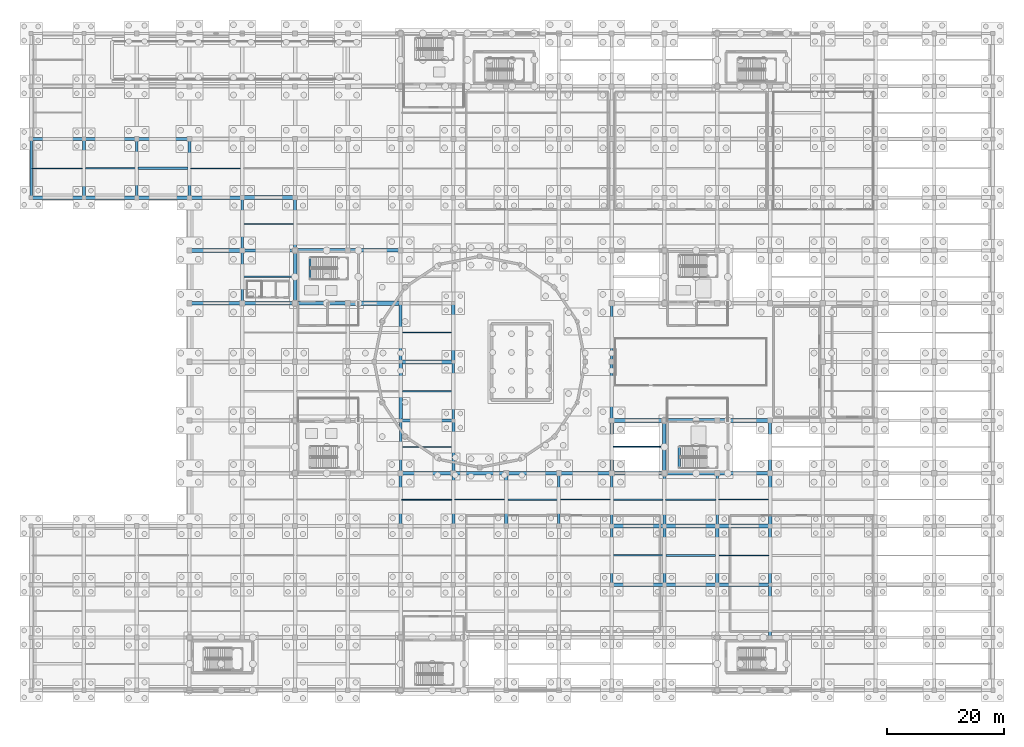
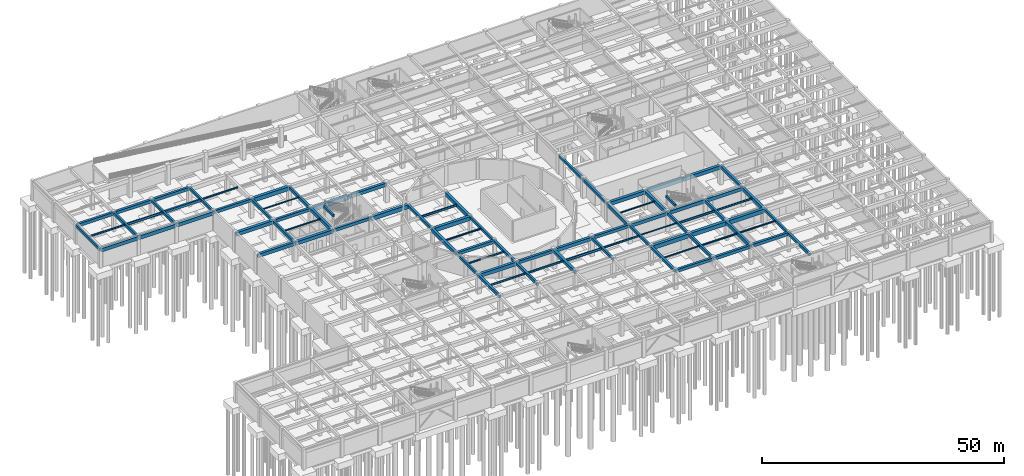
# One storey, part 30 of 62: 88 beams.
"""IFC4 building model written with IfcOpenShell, lengths in metres."""

from ifc_helpers import new_model, si_unit, direction, frame, origin, origin_2d, place, context, subcontext, project, spatial, rectangle, i_section, extrude, material, material_profile, profile_set, type_object, element, save


model = new_model("IFC4")

# Units and contexts
model_context = context("Model", 3, precision=1e-05, world=origin(), true_north=direction((0.0, 1.0)))
body_context = subcontext(model_context, "Body", "Model", "MODEL_VIEW")
ifc_project = project(units=[si_unit("LENGTHUNIT", "METRE"), si_unit("AREAUNIT", "SQUARE_METRE"), si_unit("VOLUMEUNIT", "CUBIC_METRE"), si_unit("PLANEANGLEUNIT", "RADIAN"), si_unit("MASSUNIT", "GRAM", prefix="KILO")], contexts=[model_context])

# Site, building, storey
site_placement = place(None, origin())
site = spatial("IfcSite", under=ifc_project, at=site_placement, CompositionType="ELEMENT")
building_placement = place(site_placement, origin())
building = spatial("IfcBuilding", under=site, at=building_placement, Name="Miravela Opera House", CompositionType="ELEMENT")
storey_placement = place(building_placement, frame((0.0, 0.0, -5.10009765625)))
storey = spatial("IfcBuildingStorey", under=building, at=storey_placement, Name="B01", CompositionType="ELEMENT", Elevation=-5.10009765625)

# Beams
ifc_material_1 = material(Name="Concrete C35/45", Category="concrete")
ifc_material_profile_1 = material_profile(ifc_material_1, rectangle(XDim=0.39990234375, YDim=0.60009765625, at=origin_2d()), Name="RC-BM-400X600")
ifc_profile_set_1 = profile_set([ifc_material_profile_1])
beam_type_1 = type_object("IfcBeamType", Name="STR-BM-RC400X600", PredefinedType="JOIST", material=ifc_profile_set_1)
beam_1_placement = place(storey_placement, frame((18.2099609375, 89.0, 4.52001953125), z_axis=(1.0, 0.0, 0.0), x_axis=(0.0, 1.0, 0.0)))
element("IfcBeam", 1, at=beam_1_placement, inside=storey, type_object=beam_type_1, Name="Secondary Floor Joist B01 3-4/J-K", PredefinedType="JOIST", context=body_context, shape_type="SweptSolid", body=[
    extrude(rectangle(XDim=0.39990234375, YDim=0.60009765625, at=origin_2d()), origin(), (0.0, 0.0, 1.0), 8.580078125),
])
for number, where, z_axis, x_axis, name in (
    (2, (47.5400390625, 70.0, 4.800048828125), (0.0, 1.0, 0.0), (-1.0, 0.0, 0.0), "Stair K1 Opening Header Trimmer Beam 00"),
    (3, (110.5400390625, 37.800048828125, 4.800048828125), (0.0, 1.0, 0.0), (-1.0, 0.0, 0.0), "Stair K4 Opening Header Trimmer Beam 00"),
):
    element("IfcBeam", number, at=place(storey_placement, frame(where, z_axis=z_axis, x_axis=x_axis)), inside=storey, type_object=beam_type_1, Name=name, PredefinedType="JOIST", context=body_context, shape_type="SweptSolid", body=[
        extrude(rectangle(XDim=0.39990234375, YDim=0.60009765625, at=origin_2d()), origin(), (0.0, 0.0, 1.0), 3.8798828125),
    ])
ifc_material_profile_2 = material_profile(ifc_material_1, rectangle(XDim=0.449951171875, YDim=0.64990234375, at=origin_2d()), Name="RC-BM-450X650")
ifc_profile_set_2 = profile_set([ifc_material_profile_2])
beam_type_2 = type_object("IfcBeamType", Name="STR-BM-RC450X650", PredefinedType="BEAM", material=ifc_profile_set_2)
for number, where, z_axis, x_axis, name in (
    (4, (18.0, 84.080078125, 4.4951171875), (0.0, 1.0, 0.0), (-1.0, 0.0, 0.0), "Floor Girder B01 3/J-K"),
    (5, (27.0, 84.080078125, 4.4951171875), (0.0, 1.0, 0.0), (-1.0, 0.0, 0.0), "Floor Girder B01 4/J-K"),
):
    element("IfcBeam", number, at=place(storey_placement, frame(where, z_axis=z_axis, x_axis=x_axis)), inside=storey, type_object=beam_type_2, Name=name, PredefinedType="BEAM", context=body_context, shape_type="SweptSolid", body=[
        extrude(rectangle(XDim=0.449951171875, YDim=0.64990234375, at=origin_2d()), origin(), (0.0, 0.0, 1.0), 9.83984375),
    ])
for number, where, z_axis, x_axis, name in (
    (6, (36.0, 75.080078125, 4.4951171875), (0.0, 1.0, 0.0), (-1.0, 0.0, 0.0), "Floor Girder B01 5/I-J"),
    (7, (63.0, 37.080078125, 4.4951171875), (0.0, 1.0, 0.0), (-1.0, 0.0, 0.0), "Floor Girder B01 8/E-F"),
):
    element("IfcBeam", number, at=place(storey_placement, frame(where, z_axis=z_axis, x_axis=x_axis)), inside=storey, type_object=beam_type_2, Name=name, PredefinedType="BEAM", context=body_context, shape_type="SweptSolid", body=[
        extrude(rectangle(XDim=0.449951171875, YDim=0.64990234375, at=origin_2d()), origin(), (0.0, 0.0, 1.0), 8.83984375),
    ])
beam_2_placement = place(storey_placement, frame((72.0, 46.080078125, 4.455078125), z_axis=(0.0, 1.0, 0.0), x_axis=(-1.0, 0.0, 0.0)))
element("IfcBeam", 8, at=beam_2_placement, inside=storey, type_object=beam_type_2, Name="Floor Girder B01 9/F-G", PredefinedType="BEAM", context=body_context, shape_type="SweptSolid", body=[
    extrude(rectangle(XDim=0.449951171875, YDim=0.64990234375, at=origin_2d()), origin(), (0.0, 0.0, 1.0), 9.83984375),
])
for number, where, z_axis, x_axis, name in (
    (9, (90.0, 28.080078125, 4.455078125), (0.0, 1.0, 0.0), (-1.0, 0.0, 0.0), "Floor Girder B01 11/D-E"),
    (10, (99.0, 28.080078125, 4.455078125), (0.0, 1.0, 0.0), (-1.0, 0.0, 0.0), "Floor Girder B01 12/D-E"),
    (11, (108.0, 28.080078125, 4.455078125), (0.0, 1.0, 0.0), (-1.0, 0.0, 0.0), "Floor Girder B01 13/D-E"),
):
    element("IfcBeam", number, at=place(storey_placement, frame(where, z_axis=z_axis, x_axis=x_axis)), inside=storey, type_object=beam_type_2, Name=name, PredefinedType="BEAM", context=body_context, shape_type="SweptSolid", body=[
        extrude(rectangle(XDim=0.449951171875, YDim=0.64990234375, at=origin_2d()), origin(), (0.0, 0.0, 1.0), 8.83984375),
    ])
beam_3_placement = place(storey_placement, frame((126.0, 18.080078125, 4.505126953125), z_axis=(0.0, 1.0, 0.0), x_axis=(-1.0, 0.0, 0.0)))
element("IfcBeam", 12, at=beam_3_placement, inside=storey, type_object=beam_type_2, Name="Floor Girder B01 15/C-D", PredefinedType="BEAM", context=body_context, shape_type="SweptSolid", body=[
    extrude(rectangle(XDim=0.449951171875, YDim=0.64990234375, at=origin_2d()), origin(), (0.0, 0.0, 1.0), 9.83984375),
])
ifc_material_profile_3 = material_profile(ifc_material_1, rectangle(XDim=0.47998046875, YDim=0.679931640625, at=origin_2d()), Name="RC-BM-480X680")
ifc_profile_set_3 = profile_set([ifc_material_profile_3])
beam_type_3 = type_object("IfcBeamType", Name="STR-BM-RC480X680", PredefinedType="BEAM", material=ifc_profile_set_3)
for number, where, z_axis, x_axis, name in (
    (13, (36.0, 66.080078125, 4.47998046875), (0.0, 1.0, 0.0), (-1.0, 0.0, 0.0), "Floor Girder B01 5/H-I"),
    (14, (63.0, 28.080078125, 4.47998046875), (0.0, 1.0, 0.0), (-1.0, 0.0, 0.0), "Floor Girder B01 8/D-E"),
    (15, (72.0, 37.080078125, 4.440185546875), (0.0, 1.0, 0.0), (-1.0, 0.0, 0.0), "Floor Girder B01 9/E-F"),
):
    element("IfcBeam", number, at=place(storey_placement, frame(where, z_axis=z_axis, x_axis=x_axis)), inside=storey, type_object=beam_type_3, Name=name, PredefinedType="BEAM", context=body_context, shape_type="SweptSolid", body=[
        extrude(rectangle(XDim=0.47998046875, YDim=0.679931640625, at=origin_2d()), origin(), (0.0, 0.0, 1.0), 8.83984375),
    ])
for number, where, z_axis, x_axis, name in (
    (16, (99.0, 18.080078125, 4.440185546875), (0.0, 1.0, 0.0), (-1.0, 0.0, 0.0), "Floor Girder B01 12/C-D"),
    (17, (99.0, 56.080078125, 4.440185546875), (0.0, 1.0, 0.0), (-1.0, 0.0, 0.0), "Floor Girder B01 12/G-H"),
    (18, (108.0, 18.080078125, 4.440185546875), (0.0, 1.0, 0.0), (-1.0, 0.0, 0.0), "Floor Girder B01 13/C-D"),
):
    element("IfcBeam", number, at=place(storey_placement, frame(where, z_axis=z_axis, x_axis=x_axis)), inside=storey, type_object=beam_type_3, Name=name, PredefinedType="BEAM", context=body_context, shape_type="SweptSolid", body=[
        extrude(rectangle(XDim=0.47998046875, YDim=0.679931640625, at=origin_2d()), origin(), (0.0, 0.0, 1.0), 9.83984375),
    ])
beam_4_placement = place(storey_placement, frame((126.0, 9.080078125, 4.489990234375), z_axis=(0.0, 1.0, 0.0), x_axis=(-1.0, 0.0, 0.0)))
element("IfcBeam", 19, at=beam_4_placement, inside=storey, type_object=beam_type_3, Name="Floor Girder B01 15/B-C", PredefinedType="BEAM", context=body_context, shape_type="SweptSolid", body=[
    extrude(rectangle(XDim=0.47998046875, YDim=0.679931640625, at=origin_2d()), origin(), (0.0, 0.0, 1.0), 8.83984375),
])
ifc_material_profile_4 = material_profile(ifc_material_1, rectangle(XDim=0.5, YDim=0.699951171875, at=origin_2d()), Name="RC-BM-500X700")
ifc_profile_set_4 = profile_set([ifc_material_profile_4])
beam_type_4 = type_object("IfcBeamType", Name="STR-BM-RC500X700", PredefinedType="BEAM", material=ifc_profile_set_4)
beam_5_placement = place(storey_placement, frame((9.0, 84.080078125, 4.47021484375), z_axis=(0.0, 1.0, 0.0), x_axis=(-1.0, 0.0, 0.0)))
element("IfcBeam", 20, at=beam_5_placement, inside=storey, type_object=beam_type_4, Name="Floor Girder B01 2/J-K", PredefinedType="BEAM", context=body_context, shape_type="SweptSolid", body=[
    extrude(rectangle(XDim=0.5, YDim=0.699951171875, at=origin_2d()), origin(), (0.0, 0.0, 1.0), 9.83984375),
])
beam_6_placement = place(storey_placement, frame((45.0, 75.080078125, 4.47021484375), z_axis=(0.0, 1.0, 0.0), x_axis=(-1.0, 0.0, 0.0)))
element("IfcBeam", 21, at=beam_6_placement, inside=storey, type_object=beam_type_4, Name="Floor Girder B01 6/I-J", PredefinedType="BEAM", context=body_context, shape_type="SweptSolid", body=[
    extrude(rectangle(XDim=0.5, YDim=0.699951171875, at=origin_2d()), origin(), (0.0, 0.0, 1.0), 8.83984375),
])
beam_7_placement = place(storey_placement, frame((63.0, 56.080078125, 4.47021484375), z_axis=(0.0, 1.0, 0.0), x_axis=(-1.0, 0.0, 0.0)))
element("IfcBeam", 22, at=beam_7_placement, inside=storey, type_object=beam_type_4, Name="Floor Girder B01 8/G-H", PredefinedType="BEAM", context=body_context, shape_type="SweptSolid", body=[
    extrude(rectangle(XDim=0.5, YDim=0.699951171875, at=origin_2d()), origin(), (0.0, 0.0, 1.0), 9.83984375),
])
beam_8_placement = place(storey_placement, frame((72.0, 28.080078125, 4.43017578125), z_axis=(0.0, 1.0, 0.0), x_axis=(-1.0, 0.0, 0.0)))
element("IfcBeam", 23, at=beam_8_placement, inside=storey, type_object=beam_type_4, Name="Floor Girder B01 9/D-E", PredefinedType="BEAM", context=body_context, shape_type="SweptSolid", body=[
    extrude(rectangle(XDim=0.5, YDim=0.699951171875, at=origin_2d()), origin(), (0.0, 0.0, 1.0), 8.83984375),
])
beam_9_placement = place(storey_placement, frame((99.0, 46.080078125, 4.43017578125), z_axis=(0.0, 1.0, 0.0), x_axis=(-1.0, 0.0, 0.0)))
element("IfcBeam", 24, at=beam_9_placement, inside=storey, type_object=beam_type_4, Name="Floor Girder B01 12/F-G", PredefinedType="BEAM", context=body_context, shape_type="SweptSolid", body=[
    extrude(rectangle(XDim=0.5, YDim=0.699951171875, at=origin_2d()), origin(), (0.0, 0.0, 1.0), 9.83984375),
])
for number, where, z_axis, x_axis, name in (
    (25, (117.0, 28.080078125, 4.43017578125), (0.0, 1.0, 0.0), (-1.0, 0.0, 0.0), "Floor Girder B01 14/D-E"),
    (26, (126.0, 37.080078125, 4.43017578125), (0.0, 1.0, 0.0), (-1.0, 0.0, 0.0), "Floor Girder B01 15/E-F"),
):
    element("IfcBeam", number, at=place(storey_placement, frame(where, z_axis=z_axis, x_axis=x_axis)), inside=storey, type_object=beam_type_4, Name=name, PredefinedType="BEAM", context=body_context, shape_type="SweptSolid", body=[
        extrude(rectangle(XDim=0.5, YDim=0.699951171875, at=origin_2d()), origin(), (0.0, 0.0, 1.0), 8.83984375),
    ])
ifc_material_profile_5 = material_profile(ifc_material_1, rectangle(XDim=0.550048828125, YDim=0.75, at=origin_2d()), Name="RC-BM-550X750")
ifc_profile_set_5 = profile_set([ifc_material_profile_5])
beam_type_5 = type_object("IfcBeamType", Name="STR-BM-RC550X750", PredefinedType="BEAM", material=ifc_profile_set_5)
for number, where, z_axis, x_axis, name in (
    (27, (0.080078125, 94.0, 4.445068359375), (1.0, 0.0, 0.0), (0.0, 1.0, 0.0), "Floor Girder B01 1-2/K"),
    (28, (9.080078125, 94.0, 4.445068359375), (1.0, 0.0, 0.0), (0.0, 1.0, 0.0), "Floor Girder B01 2-3/K"),
    (29, (18.080078125, 94.0, 4.445068359375), (1.0, 0.0, 0.0), (0.0, 1.0, 0.0), "Floor Girder B01 3-4/K"),
    (30, (27.080078125, 84.0, 4.445068359375), (1.0, 0.0, 0.0), (0.0, 1.0, 0.0), "Floor Girder B01 4-5/J"),
    (31, (36.080078125, 75.0, 4.445068359375), (1.0, 0.0, 0.0), (0.0, 1.0, 0.0), "Floor Girder B01 5-6/I"),
    (32, (45.080078125, 66.0, 4.445068359375), (1.0, 0.0, 0.0), (0.0, 1.0, 0.0), "Floor Girder B01 6-7/H"),
    (33, (63.080078125, 46.0, 4.405029296875), (1.0, 0.0, 0.0), (0.0, 1.0, 0.0), "Floor Girder B01 8-9/F"),
    (34, (72.080078125, 37.0, 4.405029296875), (1.0, 0.0, 0.0), (0.0, 1.0, 0.0), "Floor Girder B01 9-10/E"),
    (35, (90.080078125, 37.0, 4.405029296875), (1.0, 0.0, 0.0), (0.0, 1.0, 0.0), "Floor Girder B01 11-12/E"),
    (36, (99.080078125, 18.0, 4.405029296875), (1.0, 0.0, 0.0), (0.0, 1.0, 0.0), "Floor Girder B01 12-13/C"),
    (37, (108.080078125, 18.0, 4.405029296875), (1.0, 0.0, 0.0), (0.0, 1.0, 0.0), "Floor Girder B01 13-14/C"),
    (38, (117.080078125, 18.0, 4.455078125), (1.0, 0.0, 0.0), (0.0, 1.0, 0.0), "Floor Girder B01 14-15/C"),
):
    element("IfcBeam", number, at=place(storey_placement, frame(where, z_axis=z_axis, x_axis=x_axis)), inside=storey, type_object=beam_type_5, Name=name, PredefinedType="BEAM", context=body_context, shape_type="SweptSolid", body=[
        extrude(rectangle(XDim=0.550048828125, YDim=0.75, at=origin_2d()), origin(), (0.0, 0.0, 1.0), 8.83984375),
    ])
ifc_material_2 = material(Name="Concrete C40/50", Category="concrete")
ifc_material_profile_6 = material_profile(ifc_material_2, rectangle(XDim=0.60009765625, YDim=0.85009765625, at=origin_2d()), Name="RC-BM-600X850")
ifc_profile_set_6 = profile_set([ifc_material_profile_6])
beam_type_6 = type_object("IfcBeamType", Name="STR-BM-RC600X850", PredefinedType="BEAM", material=ifc_profile_set_6)
for number, where, z_axis, x_axis, name in (
    (39, (27.080078125, 66.0, 4.39501953125), (1.0, 0.0, 0.0), (0.0, 1.0, 0.0), "Floor Girder B01 4-5/H"),
    (40, (54.080078125, 75.0, 4.39501953125), (1.0, 0.0, 0.0), (0.0, 1.0, 0.0), "Floor Girder B01 7-8/I"),
    (41, (81.080078125, 37.0, 4.35498046875), (1.0, 0.0, 0.0), (0.0, 1.0, 0.0), "Floor Girder B01 10-11/E"),
    (42, (99.080078125, 37.0, 4.35498046875), (1.0, 0.0, 0.0), (0.0, 1.0, 0.0), "Floor Girder B01 12-13/E"),
    (43, (108.080078125, 37.0, 4.35498046875), (1.0, 0.0, 0.0), (0.0, 1.0, 0.0), "Floor Girder B01 13-14/E"),
    (44, (117.080078125, 37.0, 4.35498046875), (1.0, 0.0, 0.0), (0.0, 1.0, 0.0), "Floor Girder B01 14-15/E"),
    (45, (45.0, 66.080078125, 4.39501953125), (0.0, 1.0, 0.0), (-1.0, 0.0, 0.0), "Floor Girder B01 6/H-I"),
):
    element("IfcBeam", number, at=place(storey_placement, frame(where, z_axis=z_axis, x_axis=x_axis)), inside=storey, type_object=beam_type_6, Name=name, PredefinedType="BEAM", context=body_context, shape_type="SweptSolid", body=[
        extrude(rectangle(XDim=0.60009765625, YDim=0.85009765625, at=origin_2d()), origin(), (0.0, 0.0, 1.0), 8.83984375),
    ])
for number, where, z_axis, x_axis, name in (
    (46, (63.0, 46.080078125, 4.39501953125), (0.0, 1.0, 0.0), (-1.0, 0.0, 0.0), "Floor Girder B01 8/F-G"),
    (47, (72.0, 56.080078125, 4.35498046875), (0.0, 1.0, 0.0), (-1.0, 0.0, 0.0), "Floor Girder B01 9/G-H"),
):
    element("IfcBeam", number, at=place(storey_placement, frame(where, z_axis=z_axis, x_axis=x_axis)), inside=storey, type_object=beam_type_6, Name=name, PredefinedType="BEAM", context=body_context, shape_type="SweptSolid", body=[
        extrude(rectangle(XDim=0.60009765625, YDim=0.85009765625, at=origin_2d()), origin(), (0.0, 0.0, 1.0), 9.83984375),
    ])
for number, where, z_axis, x_axis, name in (
    (48, (81.0, 28.080078125, 4.35498046875), (0.0, 1.0, 0.0), (-1.0, 0.0, 0.0), "Floor Girder B01 10/D-E"),
    (49, (99.0, 37.080078125, 4.35498046875), (0.0, 1.0, 0.0), (-1.0, 0.0, 0.0), "Floor Girder B01 12/E-F"),
    (50, (108.0, 37.080078125, 4.35498046875), (0.0, 1.0, 0.0), (-1.0, 0.0, 0.0), "Floor Girder B01 13/E-F"),
):
    element("IfcBeam", number, at=place(storey_placement, frame(where, z_axis=z_axis, x_axis=x_axis)), inside=storey, type_object=beam_type_6, Name=name, PredefinedType="BEAM", context=body_context, shape_type="SweptSolid", body=[
        extrude(rectangle(XDim=0.60009765625, YDim=0.85009765625, at=origin_2d()), origin(), (0.0, 0.0, 1.0), 8.83984375),
    ])
beam_10_placement = place(storey_placement, frame((117.0, 18.080078125, 4.35498046875), z_axis=(0.0, 1.0, 0.0), x_axis=(-1.0, 0.0, 0.0)))
element("IfcBeam", 51, at=beam_10_placement, inside=storey, type_object=beam_type_6, Name="Floor Girder B01 14/C-D", PredefinedType="BEAM", context=body_context, shape_type="SweptSolid", body=[
    extrude(rectangle(XDim=0.60009765625, YDim=0.85009765625, at=origin_2d()), origin(), (0.0, 0.0, 1.0), 9.83984375),
])
beam_11_placement = place(storey_placement, frame((126.0, 28.080078125, 4.35498046875), z_axis=(0.0, 1.0, 0.0), x_axis=(-1.0, 0.0, 0.0)))
element("IfcBeam", 52, at=beam_11_placement, inside=storey, type_object=beam_type_6, Name="Floor Girder B01 15/D-E", PredefinedType="BEAM", context=body_context, shape_type="SweptSolid", body=[
    extrude(rectangle(XDim=0.60009765625, YDim=0.85009765625, at=origin_2d()), origin(), (0.0, 0.0, 1.0), 8.83984375),
])
ifc_material_profile_7 = material_profile(ifc_material_2, rectangle(XDim=0.64990234375, YDim=0.89990234375, at=origin_2d()), Name="RC-BM-650X900")
ifc_profile_set_7 = profile_set([ifc_material_profile_7])
beam_type_7 = type_object("IfcBeamType", Name="STR-BM-RC650X900", PredefinedType="BEAM", material=ifc_profile_set_7)
for number, where, z_axis, x_axis, name in (
    (53, (0.080078125, 84.0, 4.3701171875), (1.0, 0.0, 0.0), (0.0, 1.0, 0.0), "Floor Girder B01 1-2/J"),
    (54, (9.080078125, 84.0, 4.3701171875), (1.0, 0.0, 0.0), (0.0, 1.0, 0.0), "Floor Girder B01 2-3/J"),
    (55, (18.080078125, 84.0, 4.3701171875), (1.0, 0.0, 0.0), (0.0, 1.0, 0.0), "Floor Girder B01 3-4/J"),
    (56, (27.080078125, 75.0, 4.3701171875), (1.0, 0.0, 0.0), (0.0, 1.0, 0.0), "Floor Girder B01 4-5/I"),
    (57, (36.080078125, 66.0, 4.3701171875), (1.0, 0.0, 0.0), (0.0, 1.0, 0.0), "Floor Girder B01 5-6/H"),
    (58, (63.080078125, 37.0, 4.330078125), (1.0, 0.0, 0.0), (0.0, 1.0, 0.0), "Floor Girder B01 8-9/E"),
    (59, (99.080078125, 46.0, 4.330078125), (1.0, 0.0, 0.0), (0.0, 1.0, 0.0), "Floor Girder B01 12-13/F"),
    (60, (108.080078125, 46.0, 4.330078125), (1.0, 0.0, 0.0), (0.0, 1.0, 0.0), "Floor Girder B01 13-14/F"),
    (61, (117.080078125, 46.0, 4.330078125), (1.0, 0.0, 0.0), (0.0, 1.0, 0.0), "Floor Girder B01 14-15/F"),
):
    element("IfcBeam", number, at=place(storey_placement, frame(where, z_axis=z_axis, x_axis=x_axis)), inside=storey, type_object=beam_type_7, Name=name, PredefinedType="BEAM", context=body_context, shape_type="SweptSolid", body=[
        extrude(rectangle(XDim=0.64990234375, YDim=0.89990234375, at=origin_2d()), origin(), (0.0, 0.0, 1.0), 8.83984375),
    ])
ifc_material_profile_8 = material_profile(ifc_material_2, rectangle(XDim=0.699951171875, YDim=1.0, at=origin_2d()), Name="RC-BM-700X1000")
ifc_profile_set_8 = profile_set([ifc_material_profile_8])
beam_type_8 = type_object("IfcBeamType", Name="STR-BM-RC700X1000", PredefinedType="BEAM", material=ifc_profile_set_8)
for number, where, z_axis, x_axis, name in (
    (62, (36.080078125, 84.0, 4.320068359375), (1.0, 0.0, 0.0), (0.0, 1.0, 0.0), "Floor Girder B01 5-6/J"),
    (63, (45.080078125, 75.0, 4.320068359375), (1.0, 0.0, 0.0), (0.0, 1.0, 0.0), "Floor Girder B01 6-7/I"),
    (64, (54.080078125, 66.0, 4.320068359375), (1.0, 0.0, 0.0), (0.0, 1.0, 0.0), "Floor Girder B01 7-8/H"),
    (65, (63.080078125, 56.0, 4.280029296875), (1.0, 0.0, 0.0), (0.0, 1.0, 0.0), "Floor Girder B01 8-9/G"),
    (66, (99.080078125, 28.0, 4.280029296875), (1.0, 0.0, 0.0), (0.0, 1.0, 0.0), "Floor Girder B01 12-13/D"),
    (67, (108.080078125, 28.0, 4.280029296875), (1.0, 0.0, 0.0), (0.0, 1.0, 0.0), "Floor Girder B01 13-14/D"),
    (68, (117.080078125, 28.0, 4.280029296875), (1.0, 0.0, 0.0), (0.0, 1.0, 0.0), "Floor Girder B01 14-15/D"),
):
    element("IfcBeam", number, at=place(storey_placement, frame(where, z_axis=z_axis, x_axis=x_axis)), inside=storey, type_object=beam_type_8, Name=name, PredefinedType="BEAM", context=body_context, shape_type="SweptSolid", body=[
        extrude(rectangle(XDim=0.699951171875, YDim=1.0, at=origin_2d()), origin(), (0.0, 0.0, 1.0), 8.83984375),
    ])
ifc_material_3 = material(Name="Structural steel ASTM A992 Gr. 50", Category="steel")
ifc_material_profile_9 = material_profile(ifc_material_3, i_section(OverallWidth=0.1650390625, OverallDepth=0.200927734375, WebThickness=0.006103515625, FlangeThickness=0.01025390625, FilletRadius=0.010009765625, at=origin_2d()), Name="W200X36")
ifc_profile_set_9 = profile_set([ifc_material_profile_9])
beam_type_9 = type_object("IfcBeamType", Name="STR-BM-W200X36", PredefinedType="LINTEL", material=ifc_profile_set_9)
beam_12_placement = place(storey_placement, frame((99.284912109375, 41.5, 4.6796875), z_axis=(1.0, 0.0, 0.0), x_axis=(0.0, 1.0, 0.0)))
element("IfcBeam", 69, at=beam_12_placement, inside=storey, type_object=beam_type_9, Name="Secondary Floor Joist B01 12-13/E-F", PredefinedType="LINTEL", context=body_context, shape_type="SweptSolid", body=[
    extrude(i_section(OverallWidth=0.1650390625, OverallDepth=0.200927734375, WebThickness=0.006103515625, FlangeThickness=0.01025390625, FilletRadius=0.010009765625, at=origin_2d()), origin(), (0.0, 0.0, 1.0), 8.43017578125),
])
ifc_material_profile_10 = material_profile(ifc_material_3, i_section(OverallWidth=0.201904296875, OverallDepth=0.2470703125, WebThickness=0.00732421875, FlangeThickness=0.010986328125, FilletRadius=0.011962890625, at=origin_2d()), Name="W250X49")
ifc_profile_set_10 = profile_set([ifc_material_profile_10])
beam_type_10 = type_object("IfcBeamType", Name="STR-BM-W250X49", PredefinedType="LINTEL", material=ifc_profile_set_10)
beam_13_placement = place(storey_placement, frame((36.2099609375, 79.5, 4.696533203125), z_axis=(1.0, 0.0, 0.0), x_axis=(0.0, 1.0, 0.0)))
element("IfcBeam", 70, at=beam_13_placement, inside=storey, type_object=beam_type_10, Name="Secondary Floor Joist B01 5-6/I-J", PredefinedType="LINTEL", context=body_context, shape_type="SweptSolid", body=[
    extrude(i_section(OverallWidth=0.201904296875, OverallDepth=0.2470703125, WebThickness=0.00732421875, FlangeThickness=0.010986328125, FilletRadius=0.011962890625, at=origin_2d()), origin(), (0.0, 0.0, 1.0), 8.554931640625),
])
beam_14_placement = place(storey_placement, frame((99.2099609375, 32.5, 4.656494140625), z_axis=(1.0, 0.0, 0.0), x_axis=(0.0, 1.0, 0.0)))
element("IfcBeam", 71, at=beam_14_placement, inside=storey, type_object=beam_type_10, Name="Secondary Floor Joist B01 12-13/D-E", PredefinedType="LINTEL", context=body_context, shape_type="SweptSolid", body=[
    extrude(i_section(OverallWidth=0.201904296875, OverallDepth=0.2470703125, WebThickness=0.00732421875, FlangeThickness=0.010986328125, FilletRadius=0.011962890625, at=origin_2d()), origin(), (0.0, 0.0, 1.0), 8.580078125),
])
ifc_material_profile_11 = material_profile(ifc_material_3, i_section(OverallWidth=0.25390625, OverallDepth=0.2529296875, WebThickness=0.008544921875, FlangeThickness=0.01416015625, FilletRadius=0.011962890625, at=origin_2d()), Name="W250X73")
ifc_profile_set_11 = profile_set([ifc_material_profile_11])
beam_type_11 = type_object("IfcBeamType", Name="STR-BM-W250X73", PredefinedType="JOIST", material=ifc_profile_set_11)
beam_15_placement = place(storey_placement, frame((36.22509765625, 70.5, 4.693603515625), z_axis=(1.0, 0.0, 0.0), x_axis=(0.0, 1.0, 0.0)))
element("IfcBeam", 72, at=beam_15_placement, inside=storey, type_object=beam_type_11, Name="Secondary Floor Joist B01 5-6/H-I", PredefinedType="JOIST", context=body_context, shape_type="SweptSolid", body=[
    extrude(i_section(OverallWidth=0.25390625, OverallDepth=0.2529296875, WebThickness=0.008544921875, FlangeThickness=0.01416015625, FilletRadius=0.011962890625, at=origin_2d()), origin(), (0.0, 0.0, 1.0), 8.489990234375),
])
beam_16_placement = place(storey_placement, frame((99.22509765625, 23.0, 4.653564453125), z_axis=(1.0, 0.0, 0.0), x_axis=(0.0, 1.0, 0.0)))
element("IfcBeam", 73, at=beam_16_placement, inside=storey, type_object=beam_type_11, Name="Secondary Floor Joist B01 12-13/C-D", PredefinedType="JOIST", context=body_context, shape_type="SweptSolid", body=[
    extrude(i_section(OverallWidth=0.25390625, OverallDepth=0.2529296875, WebThickness=0.008544921875, FlangeThickness=0.01416015625, FilletRadius=0.011962890625, at=origin_2d()), origin(), (0.0, 0.0, 1.0), 8.5498046875),
])
ifc_material_profile_12 = material_profile(ifc_material_3, i_section(OverallWidth=0.304931640625, OverallDepth=0.30810546875, WebThickness=0.010009765625, FlangeThickness=0.015380859375, FilletRadius=0.013916015625, at=origin_2d()), Name="W310X97")
ifc_profile_set_12 = profile_set([ifc_material_profile_12])
beam_type_12 = type_object("IfcBeamType", Name="STR-BM-W310X97", PredefinedType="JOIST", material=ifc_profile_set_12)
beam_17_placement = place(storey_placement, frame((63.284912109375, 51.0, 4.6259765625), z_axis=(1.0, 0.0, 0.0), x_axis=(0.0, 1.0, 0.0)))
element("IfcBeam", 74, at=beam_17_placement, inside=storey, type_object=beam_type_12, Name="Secondary Floor Joist B01 8-9/F-G", PredefinedType="JOIST", context=body_context, shape_type="SweptSolid", body=[
    extrude(i_section(OverallWidth=0.304931640625, OverallDepth=0.30810546875, WebThickness=0.010009765625, FlangeThickness=0.015380859375, FilletRadius=0.013916015625, at=origin_2d()), origin(), (0.0, 0.0, 1.0), 8.505126953125),
])
beam_18_placement = place(storey_placement, frame((108.22509765625, 23.0, 4.6259765625), z_axis=(1.0, 0.0, 0.0), x_axis=(0.0, 1.0, 0.0)))
element("IfcBeam", 75, at=beam_18_placement, inside=storey, type_object=beam_type_12, Name="Secondary Floor Joist B01 13-14/C-D", PredefinedType="JOIST", context=body_context, shape_type="SweptSolid", body=[
    extrude(i_section(OverallWidth=0.304931640625, OverallDepth=0.30810546875, WebThickness=0.010009765625, FlangeThickness=0.015380859375, FilletRadius=0.013916015625, at=origin_2d()), origin(), (0.0, 0.0, 1.0), 8.489990234375),
])
ifc_material_profile_13 = material_profile(ifc_material_3, i_section(OverallWidth=0.2041015625, OverallDepth=0.35009765625, WebThickness=0.008544921875, FlangeThickness=0.01513671875, FilletRadius=0.013916015625, at=origin_2d()), Name="W360X72")
ifc_profile_set_13 = profile_set([ifc_material_profile_13])
beam_type_13 = type_object("IfcBeamType", Name="STR-BM-W360X72", PredefinedType="JOIST", material=ifc_profile_set_13)
beam_19_placement = place(storey_placement, frame((117.284912109375, 23.0, 4.655029296875), z_axis=(1.0, 0.0, 0.0), x_axis=(0.0, 1.0, 0.0)))
element("IfcBeam", 76, at=beam_19_placement, inside=storey, type_object=beam_type_13, Name="Secondary Floor Joist B01 14-15/C-D", PredefinedType="JOIST", context=body_context, shape_type="SweptSolid", body=[
    extrude(i_section(OverallWidth=0.2041015625, OverallDepth=0.35009765625, WebThickness=0.008544921875, FlangeThickness=0.01513671875, FilletRadius=0.013916015625, at=origin_2d()), origin(), (0.0, 0.0, 1.0), 8.505126953125),
])
ifc_material_profile_14 = material_profile(ifc_material_3, i_section(OverallWidth=0.177978515625, OverallDepth=0.406982421875, WebThickness=0.0078125, FlangeThickness=0.0126953125, FilletRadius=0.012939453125, at=origin_2d()), Name="W410X60")
ifc_profile_set_14 = profile_set([ifc_material_profile_14])
beam_type_14 = type_object("IfcBeamType", Name="STR-BM-W410X60", PredefinedType="JOIST", material=ifc_profile_set_14)
beam_20_placement = place(storey_placement, frame((63.2099609375, 41.5, 4.57666015625), z_axis=(1.0, 0.0, 0.0), x_axis=(0.0, 1.0, 0.0)))
element("IfcBeam", 77, at=beam_20_placement, inside=storey, type_object=beam_type_14, Name="Secondary Floor Joist B01 8-9/E-F", PredefinedType="JOIST", context=body_context, shape_type="SweptSolid", body=[
    extrude(i_section(OverallWidth=0.177978515625, OverallDepth=0.406982421875, WebThickness=0.0078125, FlangeThickness=0.0126953125, FilletRadius=0.012939453125, at=origin_2d()), origin(), (0.0, 0.0, 1.0), 8.56494140625),
])
ifc_material_profile_15 = material_profile(ifc_material_3, i_section(OverallWidth=0.180908203125, OverallDepth=0.4169921875, WebThickness=0.010986328125, FlangeThickness=0.018310546875, FilletRadius=0.013916015625, at=origin_2d()), Name="W410X85")
ifc_profile_set_15 = profile_set([ifc_material_profile_15])
beam_type_15 = type_object("IfcBeamType", Name="STR-BM-W410X85", PredefinedType="JOIST", material=ifc_profile_set_15)
beam_21_placement = place(storey_placement, frame((0.18505859375, 89.0, 4.611572265625), z_axis=(1.0, 0.0, 0.0), x_axis=(0.0, 1.0, 0.0)))
element("IfcBeam", 78, at=beam_21_placement, inside=storey, type_object=beam_type_15, Name="Secondary Floor Joist B01 1-2/J-K", PredefinedType="JOIST", context=body_context, shape_type="SweptSolid", body=[
    extrude(i_section(OverallWidth=0.180908203125, OverallDepth=0.4169921875, WebThickness=0.010986328125, FlangeThickness=0.018310546875, FilletRadius=0.013916015625, at=origin_2d()), origin(), (0.0, 0.0, 1.0), 8.579833984375),
])
beam_22_placement = place(storey_placement, frame((27.2099609375, 89.0, 4.62158203125), z_axis=(1.0, 0.0, 0.0), x_axis=(0.0, 1.0, 0.0)))
element("IfcBeam", 79, at=beam_22_placement, inside=storey, type_object=beam_type_15, Name="Secondary Floor Joist B01 4-5/J-K", PredefinedType="JOIST", context=body_context, shape_type="SweptSolid", body=[
    extrude(i_section(OverallWidth=0.180908203125, OverallDepth=0.4169921875, WebThickness=0.010986328125, FlangeThickness=0.018310546875, FilletRadius=0.013916015625, at=origin_2d()), origin(), (0.0, 0.0, 1.0), 8.505126953125),
])
beam_23_placement = place(storey_placement, frame((90.2099609375, 32.5, 4.571533203125), z_axis=(1.0, 0.0, 0.0), x_axis=(0.0, 1.0, 0.0)))
element("IfcBeam", 80, at=beam_23_placement, inside=storey, type_object=beam_type_15, Name="Secondary Floor Joist B01 11-12/D-E", PredefinedType="JOIST", context=body_context, shape_type="SweptSolid", body=[
    extrude(i_section(OverallWidth=0.180908203125, OverallDepth=0.4169921875, WebThickness=0.010986328125, FlangeThickness=0.018310546875, FilletRadius=0.013916015625, at=origin_2d()), origin(), (0.0, 0.0, 1.0), 8.580078125),
])
ifc_material_profile_16 = material_profile(ifc_material_3, i_section(OverallWidth=0.154052734375, OverallDepth=0.458984375, WebThickness=0.009033203125, FlangeThickness=0.015380859375, FilletRadius=0.013916015625, at=origin_2d()), Name="W460X68")
ifc_profile_set_16 = profile_set([ifc_material_profile_16])
beam_type_16 = type_object("IfcBeamType", Name="STR-BM-W460X68", PredefinedType="JOIST", material=ifc_profile_set_16)
beam_24_placement = place(storey_placement, frame((63.22509765625, 32.5, 4.550537109375), z_axis=(1.0, 0.0, 0.0), x_axis=(0.0, 1.0, 0.0)))
element("IfcBeam", 81, at=beam_24_placement, inside=storey, type_object=beam_type_16, Name="Secondary Floor Joist B01 8-9/D-E", PredefinedType="JOIST", context=body_context, shape_type="SweptSolid", body=[
    extrude(i_section(OverallWidth=0.154052734375, OverallDepth=0.458984375, WebThickness=0.009033203125, FlangeThickness=0.015380859375, FilletRadius=0.013916015625, at=origin_2d()), origin(), (0.0, 0.0, 1.0), 8.539794921875),
])
ifc_material_profile_17 = material_profile(ifc_material_3, i_section(OverallWidth=0.19091796875, OverallDepth=0.4599609375, WebThickness=0.010009765625, FlangeThickness=0.01611328125, FilletRadius=0.014892578125, at=origin_2d()), Name="W460X82")
ifc_profile_set_17 = profile_set([ifc_material_profile_17])
beam_type_17 = type_object("IfcBeamType", Name="STR-BM-W460X82", PredefinedType="JOIST", material=ifc_profile_set_17)
for number, where, z_axis, x_axis, name in (
    (82, (72.235107421875, 32.5, 4.550048828125), (1.0, 0.0, 0.0), (0.0, 1.0, 0.0), "Secondary Floor Joist B01 9-10/D-E"),
    (83, (117.235107421875, 32.5, 4.550048828125), (1.0, 0.0, 0.0), (0.0, 1.0, 0.0), "Secondary Floor Joist B01 14-15/D-E"),
):
    element("IfcBeam", number, at=place(storey_placement, frame(where, z_axis=z_axis, x_axis=x_axis)), inside=storey, type_object=beam_type_17, Name=name, PredefinedType="JOIST", context=body_context, shape_type="SweptSolid", body=[
        extrude(i_section(OverallWidth=0.19091796875, OverallDepth=0.4599609375, WebThickness=0.010009765625, FlangeThickness=0.01611328125, FilletRadius=0.014892578125, at=origin_2d()), origin(), (0.0, 0.0, 1.0), 8.47998046875),
    ])
ifc_material_profile_18 = material_profile(ifc_material_3, i_section(OverallWidth=0.208984375, OverallDepth=0.532958984375, WebThickness=0.01025390625, FlangeThickness=0.015625, FilletRadius=0.014892578125, at=origin_2d()), Name="W530X92")
ifc_profile_set_18 = profile_set([ifc_material_profile_18])
beam_type_18 = type_object("IfcBeamType", Name="STR-BM-W530X92", PredefinedType="BEAM", material=ifc_profile_set_18)
beam_25_placement = place(storey_placement, frame((63.235107421875, 61.0, 4.513671875), z_axis=(1.0, 0.0, 0.0), x_axis=(0.0, 1.0, 0.0)))
element("IfcBeam", 84, at=beam_25_placement, inside=storey, type_object=beam_type_18, Name="Secondary Floor Joist B01 8-9/G-H", PredefinedType="BEAM", context=body_context, shape_type="SweptSolid", body=[
    extrude(i_section(OverallWidth=0.208984375, OverallDepth=0.532958984375, WebThickness=0.01025390625, FlangeThickness=0.015625, FilletRadius=0.014892578125, at=origin_2d()), origin(), (0.0, 0.0, 1.0), 8.47998046875),
])
beam_26_placement = place(storey_placement, frame((108.2099609375, 32.5, 4.513671875), z_axis=(1.0, 0.0, 0.0), x_axis=(0.0, 1.0, 0.0)))
element("IfcBeam", 85, at=beam_26_placement, inside=storey, type_object=beam_type_18, Name="Secondary Floor Joist B01 13-14/D-E", PredefinedType="BEAM", context=body_context, shape_type="SweptSolid", body=[
    extrude(i_section(OverallWidth=0.208984375, OverallDepth=0.532958984375, WebThickness=0.01025390625, FlangeThickness=0.015625, FilletRadius=0.014892578125, at=origin_2d()), origin(), (0.0, 0.0, 1.0), 8.554931640625),
])
ifc_material_profile_19 = material_profile(ifc_material_3, i_section(OverallWidth=0.22802734375, OverallDepth=0.60791015625, WebThickness=0.01123046875, FlangeThickness=0.017333984375, FilletRadius=0.01611328125, at=origin_2d()), Name="W610X113")
ifc_profile_set_19 = profile_set([ifc_material_profile_19])
beam_type_19 = type_object("IfcBeamType", Name="STR-BM-W610X113", PredefinedType="BEAM", material=ifc_profile_set_19)
beam_27_placement = place(storey_placement, frame((9.235107421875, 89.0, 4.51611328125), z_axis=(1.0, 0.0, 0.0), x_axis=(0.0, 1.0, 0.0)))
element("IfcBeam", 86, at=beam_27_placement, inside=storey, type_object=beam_type_19, Name="Secondary Floor Joist B01 2-3/J-K", PredefinedType="BEAM", context=body_context, shape_type="SweptSolid", body=[
    extrude(i_section(OverallWidth=0.22802734375, OverallDepth=0.60791015625, WebThickness=0.01123046875, FlangeThickness=0.017333984375, FilletRadius=0.01611328125, at=origin_2d()), origin(), (0.0, 0.0, 1.0), 8.554931640625),
])
beam_28_placement = place(storey_placement, frame((81.284912109375, 32.5, 4.47607421875), z_axis=(1.0, 0.0, 0.0), x_axis=(0.0, 1.0, 0.0)))
element("IfcBeam", 87, at=beam_28_placement, inside=storey, type_object=beam_type_19, Name="Secondary Floor Joist B01 10-11/D-E", PredefinedType="BEAM", context=body_context, shape_type="SweptSolid", body=[
    extrude(i_section(OverallWidth=0.22802734375, OverallDepth=0.60791015625, WebThickness=0.01123046875, FlangeThickness=0.017333984375, FilletRadius=0.01611328125, at=origin_2d()), origin(), (0.0, 0.0, 1.0), 8.505126953125),
])
ifc_material_profile_20 = material_profile(ifc_material_1, rectangle(XDim=0.39990234375, YDim=0.75, at=origin_2d()), Name="RC-SPN-400X750")
ifc_profile_set_20 = profile_set([ifc_material_profile_20])
beam_type_20 = type_object("IfcBeamType", Name="STR-SPN-RC400X750", PredefinedType="SPANDREL", material=ifc_profile_set_20)
beam_29_placement = place(storey_placement, frame((0.0, 84.080078125, 4.445068359375), z_axis=(0.0, 1.0, 0.0), x_axis=(-1.0, 0.0, 0.0)))
element("IfcBeam", 88, at=beam_29_placement, inside=storey, type_object=beam_type_20, Name="Floor Girder B01 1/J-K", PredefinedType="SPANDREL", context=body_context, shape_type="SweptSolid", body=[
    extrude(rectangle(XDim=0.39990234375, YDim=0.75, at=origin_2d()), origin(), (0.0, 0.0, 1.0), 9.83984375),
])

save(model, "model.ifc")
